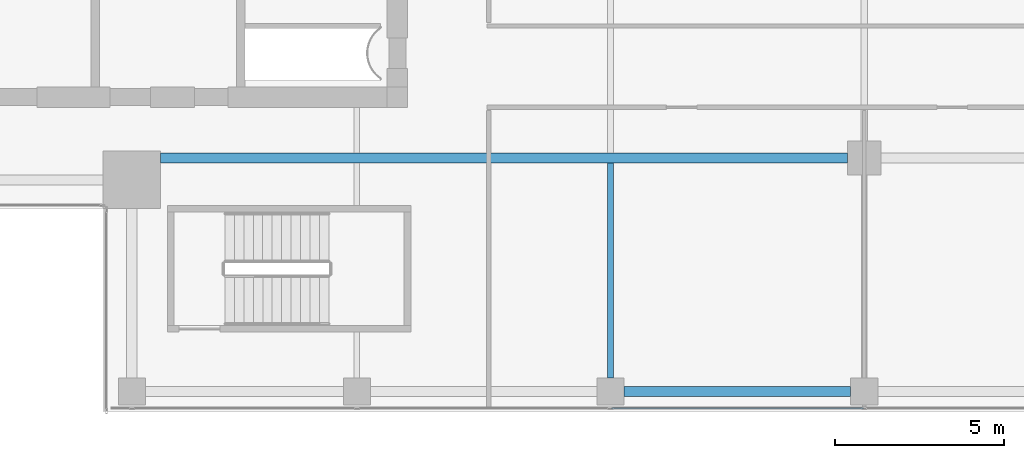
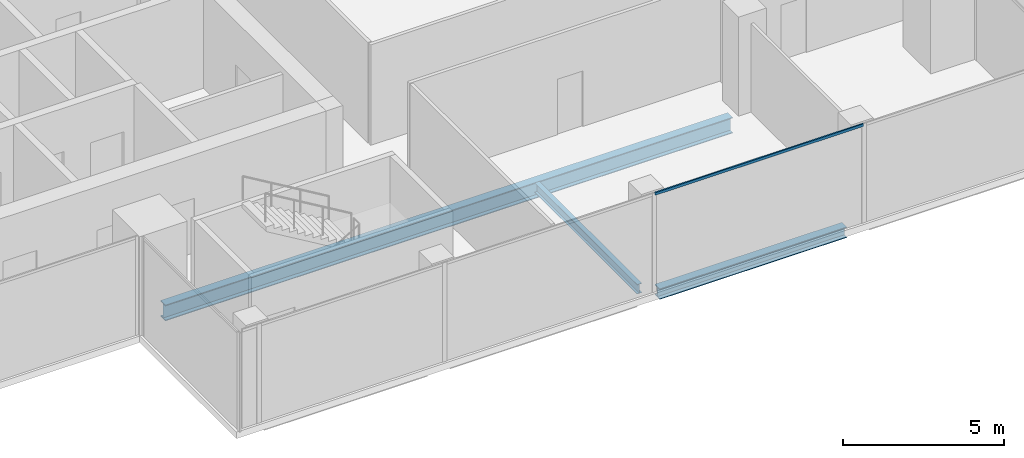
# One storey, part 6 of 29: 3 beams, 1 member, 1 element without a shape of its own.
"""IFC4 building model written with IfcOpenShell, lengths in metres."""

from ifc_helpers import new_model, si_unit, direction, frame, origin, origin_2d, place, context, subcontext, project, spatial, hollow_rectangle, i_section, extrude, source, transform, mapped, material, material_profile, profile_set, type_object, element, aggregate, save


model = new_model("IFC4")

# Units and contexts
model_context = context("Model", 3, precision=1e-05, world=origin(), true_north=direction((0.0, 1.0)))
body_context = subcontext(model_context, "Body", "Model", "MODEL_VIEW")
ifc_project = project(units=[si_unit("LENGTHUNIT", "METRE"), si_unit("AREAUNIT", "SQUARE_METRE"), si_unit("VOLUMEUNIT", "CUBIC_METRE"), si_unit("PLANEANGLEUNIT", "RADIAN"), si_unit("MASSUNIT", "GRAM", prefix="KILO")], contexts=[model_context])

# Site, building, storey
site_placement = place(None, origin())
site = spatial("IfcSite", under=ifc_project, at=site_placement, CompositionType="ELEMENT")
building_placement = place(site_placement, origin())
building = spatial("IfcBuilding", under=site, at=building_placement, Name="Khomas Fold Tower", CompositionType="ELEMENT")
storey_placement = place(building_placement, frame((0.0, 0.0, 322.199951171875)))
storey = spatial("IfcBuildingStorey", under=building, at=storey_placement, Name="L73", CompositionType="ELEMENT", Elevation=322.199951171875)

# Beams
ifc_material_1 = material(Name="Steel S355", Category="steel")
ifc_material_profile_1 = material_profile(ifc_material_1, i_section(OverallWidth=0.300048828125, OverallDepth=0.39990234375, WebThickness=0.013427734375, FlangeThickness=0.02392578125, at=origin_2d()), Name="HE 400 B")
ifc_profile_set_1 = profile_set([ifc_material_profile_1], Name="Steel S355")
beam_type_1 = type_object("IfcBeamType", Name="HE 400 B spandrel SB5", PredefinedType="SPANDREL", material=ifc_profile_set_1)
shared_shape_1 = source(origin(), body_context, "Body", "SweptSolid", [
    extrude(i_section(OverallWidth=0.300048828125, OverallDepth=0.39990234375, WebThickness=0.013427734375, FlangeThickness=0.02392578125, at=origin_2d()), origin(), (0.0, 0.0, 1.0), 6.7001953125),
])
beam_1_placement = place(storey_placement, frame((27.39990234375, 6.60009765625, -0.449951171875), z_axis=(1.0, 0.0, 0.0), x_axis=(0.0, 1.0, 0.0)))
element("IfcBeam", 1, at=beam_1_placement, inside=storey, type_object=beam_type_1, Name="SB5", PredefinedType="SPANDREL", context=body_context, shape_type="MappedRepresentation", body=[
    mapped(shared_shape_1, transform((0.0, 0.0, 0.0))),
])
ifc_material_2 = material(Name="Steel S355", Category="steel")
ifc_material_profile_2 = material_profile(ifc_material_2, i_section(OverallWidth=0.300048828125, OverallDepth=0.60009765625, WebThickness=0.015380859375, FlangeThickness=0.030029296875, at=origin_2d()), Name="HE 600 B")
ifc_profile_set_2 = profile_set([ifc_material_profile_2], Name="Steel S355")
beam_type_2 = type_object("IfcBeamType", Name="HE 600 B beam GB5", PredefinedType="BEAM", material=ifc_profile_set_2)
shared_shape_2 = source(origin(), body_context, "Body", "SweptSolid", [
    extrude(i_section(OverallWidth=0.300048828125, OverallDepth=0.60009765625, WebThickness=0.015380859375, FlangeThickness=0.030029296875, at=origin_2d()), origin(), (0.0, 0.0, 1.0), 20.300048828125),
])
beam_2_placement = place(storey_placement, frame((13.699951171875, 13.5, -0.550048828125), z_axis=(1.0, 0.0, 0.0), x_axis=(0.0, 1.0, 0.0)))
element("IfcBeam", 2, at=beam_2_placement, inside=storey, type_object=beam_type_2, Name="GB5", PredefinedType="BEAM", context=body_context, shape_type="MappedRepresentation", body=[
    mapped(shared_shape_2, transform((0.0, 0.0, 0.0))),
])
ifc_material_3 = material(Name="Steel S355", Category="steel")
ifc_material_profile_3 = material_profile(ifc_material_3, i_section(OverallWidth=0.169921875, OverallDepth=0.360107421875, WebThickness=0.008056640625, FlangeThickness=0.0126953125, at=origin_2d()), Name="IPE 360")
ifc_profile_set_3 = profile_set([ifc_material_profile_3], Name="Steel S355")
beam_type_3 = type_object("IfcBeamType", Name="IPE 360 beam JB2", PredefinedType="BEAM", material=ifc_profile_set_3)
shared_shape_3 = source(origin(), body_context, "Body", "SweptSolid", [
    extrude(i_section(OverallWidth=0.169921875, OverallDepth=0.360107421875, WebThickness=0.008056640625, FlangeThickness=0.0126953125, at=origin_2d()), origin(), (0.0, 0.0, 1.0), 6.35009765625),
])
beam_3_placement = place(storey_placement, frame((27.0, 7.0, -0.429931640625), z_axis=(0.0, 1.0, 0.0), x_axis=(-1.0, 0.0, 0.0)))
element("IfcBeam", 3, at=beam_3_placement, inside=storey, type_object=beam_type_3, Name="JB2", PredefinedType="BEAM", context=body_context, shape_type="MappedRepresentation", body=[
    mapped(shared_shape_3, transform((0.0, 0.0, 0.0))),
])

# Curtain wall, member
ifc_material_4 = material(Name="Aluminium framed double glazing", Category="aluminium")
curtain_wall_type = type_object("IfcCurtainWallType", Name="SK-Unitised clear-glass wall, upper floors CW3", PredefinedType="NOTDEFINED", material=ifc_material_4)
curtain_wall_placement = place(storey_placement, origin())
curtain_wall = element("IfcCurtainWall", 4, at=curtain_wall_placement, inside=storey, type_object=curtain_wall_type, Name="CW3 run L73 00-0", PredefinedType="NOTDEFINED")
ifc_material_5 = material(Name="Aluminium", Category="aluminium")
ifc_material_profile_4 = material_profile(ifc_material_5, hollow_rectangle(XDim=0.050048828125, YDim=0.10009765625, WallThickness=0.00390625, at=origin_2d()), Name="SK-Unitised clear-glass wall, upper floors transom CW3-T")
ifc_profile_set_4 = profile_set([ifc_material_profile_4], Name="Aluminium")
member_type = type_object("IfcMemberType", Name="SK-Unitised clear-glass wall, upper floors transom CW3-T", PredefinedType="USERDEFINED", material=ifc_profile_set_4)
shared_shape_4 = source(origin(), body_context, "Body", "SweptSolid", [
    extrude(hollow_rectangle(XDim=0.050048828125, YDim=0.10009765625, WallThickness=0.00390625, at=origin_2d()), origin(), (0.0, 0.0, 1.0), 7.4501953125),
])
member_placement = place(storey_placement, frame((27.02490234375, 6.10009765625, 3.699951171875), z_axis=(1.0, 0.0, 0.0), x_axis=(0.0, 1.0, 0.0)))
member = element("IfcMember", 5, at=member_placement, type_object=member_type, Name="CW3 transom 4", ObjectType="TRANSOM", PredefinedType="USERDEFINED", context=body_context, shape_type="MappedRepresentation", body=[
    mapped(shared_shape_4, transform((0.0, 0.0, 0.0))),
])
aggregate(curtain_wall, [member])

save(model, "model.ifc")
